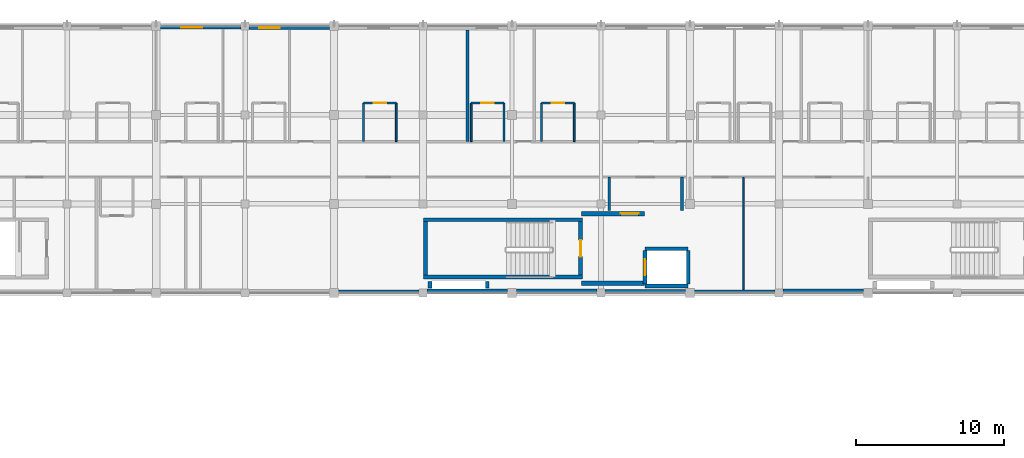
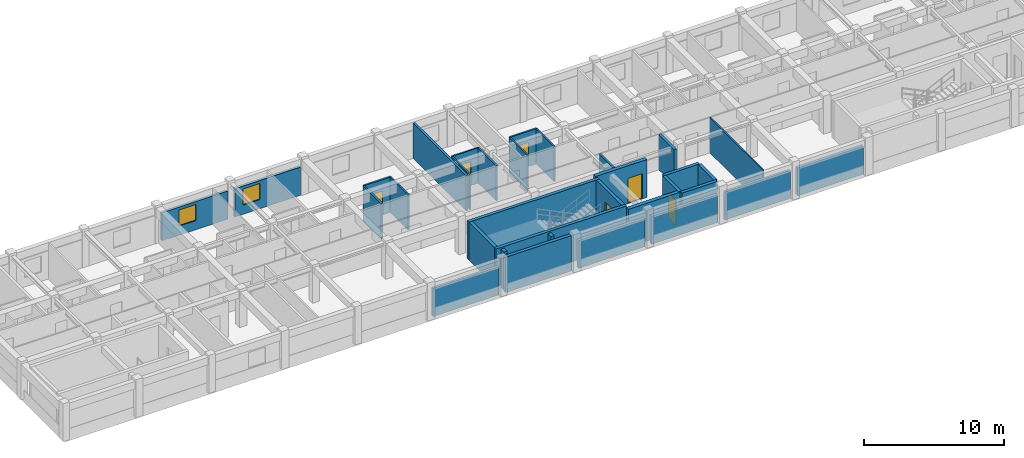
# One storey, part 9 of 21: 33 walls, 6 doors, 2 windows, 8 openings.
"""IFC4 building model written with IfcOpenShell, lengths in metres."""

from ifc_helpers import new_model, si_unit, direction, frame, frame_2d, origin, place, context, subcontext, project, spatial, rectangle, extrude, material, layer, layer_set, type_object, element, fill, save


model = new_model("IFC4")

# Units and contexts
model_context = context("Model", 3, precision=1e-05, world=origin(), true_north=direction((0.0, 1.0)))
body_context = subcontext(model_context, "Body", "Model", "MODEL_VIEW")
ifc_project = project(units=[si_unit("LENGTHUNIT", "METRE"), si_unit("AREAUNIT", "SQUARE_METRE"), si_unit("VOLUMEUNIT", "CUBIC_METRE"), si_unit("PLANEANGLEUNIT", "RADIAN"), si_unit("MASSUNIT", "GRAM", prefix="KILO"), si_unit("THERMODYNAMICTEMPERATUREUNIT", "KELVIN"), si_unit("POWERUNIT", "WATT")], contexts=[model_context])

# Site, building, storey
site_placement = place(None, origin())
site = spatial("IfcSite", under=ifc_project, at=site_placement, CompositionType="ELEMENT")
building_placement = place(site_placement, origin())
building = spatial("IfcBuilding", under=site, at=building_placement, Name="Phaisarnlok Congress Hotel", CompositionType="ELEMENT")
storey_placement = place(building_placement, frame((0.0, 0.0, 34.800048828125)))
storey = spatial("IfcBuildingStorey", under=building, at=storey_placement, Name="L08", CompositionType="ELEMENT", Elevation=34.800048828125)

# Wall, opening, window
ifc_material_1 = material(Name="Concrete C40/50", Category="concrete")
ifc_layer_1 = layer(ifc_material_1, 0.2099609375, Name="Concrete C40/50")
ifc_layer_set_1 = layer_set([ifc_layer_1], Name="Concrete C40/50")
wall_type_1 = type_object("IfcWallType", Name="WL-EXT-210", PredefinedType="SOLIDWALL", material=ifc_layer_set_1)
wall_1_placement = place(storey_placement, frame((89.719970703125, 125.89501953125, 0.0), z_axis=(0.0, 0.0, 1.0), x_axis=(-1.0, 0.0, 0.0)))
wall_1 = element("IfcWall", 1, at=wall_1_placement, inside=storey, type_object=wall_type_1, Name="Exterior wall EW-07 (L08)", PredefinedType="SOLIDWALL", context=body_context, shape_type="SweptSolid", body=[
    extrude(rectangle(XDim=5.4150390625, YDim=0.2099609375, at=frame_2d((2.70751953125, 0.0))), origin(), (0.0, 0.0, 1.0), 2.445068359375),
])
opening_1_placement = place(wall_1_placement, frame((2.60791015625, 0.0, 0.800048828125)))
opening_1 = element("IfcOpeningElement", 2, at=opening_1_placement, cuts=wall_1, Name="Opening W-13", PredefinedType="OPENING", context=body_context, shape_type="SweptSolid", body=[
    extrude(rectangle(XDim=1.39990234375, YDim=1.39990234375, at=frame_2d((0.699951171875, 0.699951171875))), frame((0.0, 0.114990234375, 0.0), z_axis=(0.0, -1.0, 0.0), x_axis=(1.0, 0.0, 0.0)), (0.0, 0.0, 1.0), 0.22998046875),
])
ifc_material_2 = material(Name="Thermally Broken Aluminium & Low-E Double Glazing", Category="aluminium")
window_type = type_object("IfcWindowType", Name="WIN-POD-1400", PartitioningType="SINGLE_PANEL", PredefinedType="WINDOW", material=ifc_material_2)
window_1_placement = place(opening_1_placement, origin())
window_1 = element("IfcWindow", 3, at=window_1_placement, inside=storey, type_object=window_type, Name="Guestroom window W-13 (L08)", OverallHeight=1.39990234375, OverallWidth=1.39990234375, PartitioningType="SINGLE_PANEL", PredefinedType="WINDOW", context=body_context, shape_type="SweptSolid", body=[
    extrude(rectangle(XDim=1.39990234375, YDim=1.39990234375, at=frame_2d((0.699951171875, 0.699951171875))), frame((0.0, 0.030029296875, 0.0), z_axis=(0.0, -1.0, 0.0), x_axis=(1.0, 0.0, 0.0)), (0.0, 0.0, 1.0), 0.06005859375),
])
fill(opening_1, window_1)

# Walls
wall_2_placement = place(storey_placement, frame((96.304931640625, 108.10498046875, 0.0), z_axis=(0.0, 0.0, 1.0), x_axis=(1.0, 0.0, 0.0)))
element("IfcWall", 4, at=wall_2_placement, inside=storey, type_object=wall_type_1, Name="Exterior wall EW-07 (L08)", PredefinedType="SOLIDWALL", context=body_context, shape_type="SweptSolid", body=[
    extrude(rectangle(XDim=5.4150390625, YDim=0.2099609375, at=frame_2d((2.70751953125, 0.0))), origin(), (0.0, 0.0, 1.0), 2.445068359375),
])
wall_3_placement = place(storey_placement, frame((120.304931640625, 108.10498046875, 0.0), z_axis=(0.0, 0.0, 1.0), x_axis=(1.0, 0.0, 0.0)))
element("IfcWall", 5, at=wall_3_placement, inside=storey, type_object=wall_type_1, Name="Exterior wall EW-07 (L08)", PredefinedType="SOLIDWALL", context=body_context, shape_type="SweptSolid", body=[
    extrude(rectangle(XDim=5.4150390625, YDim=0.2099609375, at=frame_2d((2.70751953125, 0.0))), origin(), (0.0, 0.0, 1.0), 2.419921875),
])

# Wall, opening, window
ifc_layer_2 = layer(ifc_material_1, 0.22998046875, Name="Concrete C40/50")
ifc_layer_set_2 = layer_set([ifc_layer_2], Name="Concrete C40/50")
wall_type_2 = type_object("IfcWallType", Name="WL-EXT-230", PredefinedType="SOLIDWALL", material=ifc_layer_set_2)
wall_4_placement = place(storey_placement, frame((95.695068359375, 125.885009765625, 0.0), z_axis=(0.0, 0.0, 1.0), x_axis=(-1.0, 0.0, 0.0)))
wall_4 = element("IfcWall", 6, at=wall_4_placement, inside=storey, type_object=wall_type_2, Name="Exterior wall EW-06 (L08)", PredefinedType="SOLIDWALL", context=body_context, shape_type="SweptSolid", body=[
    extrude(rectangle(XDim=5.4150390625, YDim=0.22998046875, at=frame_2d((2.70751953125, 0.0))), origin(), (0.0, 0.0, 1.0), 2.445068359375),
])
opening_2_placement = place(wall_4_placement, frame((3.344970703125, 0.0, 0.800048828125)))
opening_2 = element("IfcOpeningElement", 7, at=opening_2_placement, cuts=wall_4, Name="Opening W-13", PredefinedType="OPENING", context=body_context, shape_type="SweptSolid", body=[
    extrude(rectangle(XDim=1.39990234375, YDim=1.39990234375, at=frame_2d((0.699951171875, 0.699951171875))), frame((0.0, 0.125, 0.0), z_axis=(0.0, -1.0, 0.0), x_axis=(1.0, 0.0, 0.0)), (0.0, 0.0, 1.0), 0.25),
])
window_2_placement = place(opening_2_placement, origin())
window_2 = element("IfcWindow", 8, at=window_2_placement, inside=storey, type_object=window_type, Name="Guestroom window W-13 (L08)", OverallHeight=1.39990234375, OverallWidth=1.39990234375, PartitioningType="SINGLE_PANEL", PredefinedType="WINDOW", context=body_context, shape_type="SweptSolid", body=[
    extrude(rectangle(XDim=1.39990234375, YDim=1.39990234375, at=frame_2d((0.699951171875, 0.699951171875))), frame((0.0, 0.030029296875, 0.0), z_axis=(0.0, -1.0, 0.0), x_axis=(1.0, 0.0, 0.0)), (0.0, 0.0, 1.0), 0.06005859375),
])
fill(opening_2, window_2)

# Walls
wall_5_placement = place(storey_placement, frame((114.280029296875, 108.114990234375, 0.0), z_axis=(0.0, 0.0, 1.0), x_axis=(1.0, 0.0, 0.0)))
element("IfcWall", 9, at=wall_5_placement, inside=storey, type_object=wall_type_2, Name="Exterior wall EW-06 (L08)", PredefinedType="SOLIDWALL", context=body_context, shape_type="SweptSolid", body=[
    extrude(rectangle(XDim=5.4150390625, YDim=0.22998046875, at=frame_2d((2.70751953125, 0.0))), origin(), (0.0, 0.0, 1.0), 2.419921875),
])
ifc_layer_3 = layer(ifc_material_1, 0.25, Name="Concrete C40/50")
ifc_layer_set_3 = layer_set([ifc_layer_3], Name="Concrete C40/50")
wall_type_3 = type_object("IfcWallType", Name="WL-EXT-250", PredefinedType="SOLIDWALL", material=ifc_layer_set_3)
wall_6_placement = place(storey_placement, frame((108.304931640625, 108.125, 0.0), z_axis=(0.0, 0.0, 1.0), x_axis=(1.0, 0.0, 0.0)))
element("IfcWall", 10, at=wall_6_placement, inside=storey, type_object=wall_type_3, Name="Exterior wall EW-05 (L08)", PredefinedType="SOLIDWALL", context=body_context, shape_type="SweptSolid", body=[
    extrude(rectangle(XDim=5.4150390625, YDim=0.25, at=frame_2d((2.70751953125, 0.0))), origin(), (0.0, 0.0, 1.0), 2.419921875),
])
ifc_layer_4 = layer(ifc_material_1, 0.27001953125, Name="Concrete C40/50")
ifc_layer_set_4 = layer_set([ifc_layer_4], Name="Concrete C40/50")
wall_type_4 = type_object("IfcWallType", Name="WL-EXT-270", PredefinedType="SOLIDWALL", material=ifc_layer_set_4)
wall_7_placement = place(storey_placement, frame((102.280029296875, 108.135009765625, 0.0), z_axis=(0.0, 0.0, 1.0), x_axis=(1.0, 0.0, 0.0)))
element("IfcWall", 11, at=wall_7_placement, inside=storey, type_object=wall_type_4, Name="Exterior wall EW-04 (L08)", PredefinedType="SOLIDWALL", context=body_context, shape_type="SweptSolid", body=[
    extrude(rectangle(XDim=5.4150390625, YDim=0.27001953125, at=frame_2d((2.70751953125, 0.0))), origin(), (0.0, 0.0, 1.0), 3.070068359375),
])
wall_8_placement = place(storey_placement, frame((126.280029296875, 108.135009765625, 0.0), z_axis=(0.0, 0.0, 1.0), x_axis=(1.0, 0.0, 0.0)))
element("IfcWall", 12, at=wall_8_placement, inside=storey, type_object=wall_type_4, Name="Exterior wall EW-04 (L08)", PredefinedType="SOLIDWALL", context=body_context, shape_type="SweptSolid", body=[
    extrude(rectangle(XDim=5.4150390625, YDim=0.27001953125, at=frame_2d((2.70751953125, 0.0))), origin(), (0.0, 0.0, 1.0), 2.419921875),
])
ifc_material_3 = material(Name="Service Riser Shaftwall Partition", Category="gypsum")
ifc_layer_5 = layer(ifc_material_3, 0.10498046875, Name="Service Riser Shaftwall Partition")
ifc_layer_set_5 = layer_set([ifc_layer_5], Name="Service Riser Shaftwall Partition")
wall_type_5 = type_object("IfcWallType", Name="WL-INT-105", PredefinedType="PARTITIONING", material=ifc_layer_set_5)
wall_9_placement = place(storey_placement, frame((123.60009765625, 108.215087890625, 0.0), z_axis=(0.0, 0.0, 1.0), x_axis=(0.0, 1.0, 0.0)))
element("IfcWall", 13, at=wall_9_placement, inside=storey, type_object=wall_type_5, Name="Interior partition wall IW-08 (L08)", PredefinedType="PARTITIONING", context=body_context, shape_type="SweptSolid", body=[
    extrude(rectangle(XDim=7.5849609375, YDim=0.10498046875, at=frame_2d((3.79248046875, 0.0))), origin(), (0.0, 0.0, 1.0), 3.070068359375),
])
ifc_material_4 = material(Name="Lightweight Metal-Stud Gypsum Partition", Category="gypsum")
ifc_layer_6 = layer(ifc_material_4, 0.1201171875, Name="Lightweight Metal-Stud Gypsum Partition")
ifc_layer_set_6 = layer_set([ifc_layer_6], Name="Lightweight Metal-Stud Gypsum Partition")
wall_type_6 = type_object("IfcWallType", Name="WL-INT-120", PredefinedType="PARTITIONING", material=ifc_layer_set_6)
for number, where, z_axis, x_axis, name in (
    (14, (100.199951171875, 118.199951171875, 0.0), (0.0, 0.0, 1.0), (0.0, 1.0, 0.0), "Interior partition wall IW-07 (L08)"),
    (15, (105.25, 118.199951171875, 0.0), (0.0, 0.0, 1.0), (0.0, 1.0, 0.0), "Interior partition wall IW-07 (L08)"),
    (16, (112.199951171875, 118.199951171875, 0.0), (0.0, 0.0, 1.0), (0.0, 1.0, 0.0), "Interior partition wall IW-07 (L08)"),
):
    element("IfcWall", number, at=place(storey_placement, frame(where, z_axis=z_axis, x_axis=x_axis)), inside=storey, type_object=wall_type_6, Name=name, PredefinedType="PARTITIONING", context=body_context, shape_type="SweptSolid", body=[
        extrude(rectangle(XDim=2.60009765625, YDim=0.1201171875, at=frame_2d((1.300048828125, 0.0))), origin(), (0.0, 0.0, 1.0), 3.070068359375),
    ])

# Wall, opening, door
wall_10_placement = place(storey_placement, frame((105.25, 120.800048828125, 0.0), z_axis=(0.0, 0.0, 1.0), x_axis=(1.0, 0.0, 0.0)))
wall_10 = element("IfcWall", 17, at=wall_10_placement, inside=storey, type_object=wall_type_6, Name="Interior partition wall IW-07 (L08)", PredefinedType="PARTITIONING", context=body_context, shape_type="SweptSolid", body=[
    extrude(rectangle(XDim=2.199951171875, YDim=0.1201171875, at=frame_2d((1.10009765625, 0.0))), origin(), (0.0, 0.0, 1.0), 3.070068359375),
])
opening_3_placement = place(wall_10_placement, frame((0.675048828125, 0.0, 0.0)))
opening_3 = element("IfcOpeningElement", 18, at=opening_3_placement, cuts=wall_10, Name="Opening D-0417", PredefinedType="OPENING", context=body_context, shape_type="SweptSolid", body=[
    extrude(rectangle(XDim=0.85009765625, YDim=2.10009765625, at=frame_2d((0.425048828125, 1.050048828125))), frame((0.0, 0.070068359375, 0.0), z_axis=(0.0, -1.0, 0.0), x_axis=(1.0, 0.0, 0.0)), (0.0, 0.0, 1.0), 0.14013671875),
])
ifc_material_5 = material(Name="Moisture-Resistant Lacquered Timber", Category="wood")
door_type_1 = type_object("IfcDoorType", Name="DR-BATH-850", OperationType="NOTDEFINED", PredefinedType="DOOR", material=ifc_material_5)
door_1_placement = place(opening_3_placement, origin())
door_1 = element("IfcDoor", 19, at=door_1_placement, inside=storey, type_object=door_type_1, Name="Interior door D-0417 (L08)", OperationType="SINGLE_SWING_RIGHT", OverallHeight=2.10009765625, OverallWidth=0.85009765625, PredefinedType="DOOR", context=body_context, shape_type="SweptSolid", body=[
    extrude(rectangle(XDim=0.85009765625, YDim=2.10009765625, at=frame_2d((0.425048828125, 1.050048828125))), frame((0.0, 0.02490234375, 0.0), z_axis=(0.0, -1.0, 0.0), x_axis=(1.0, 0.0, 0.0)), (0.0, 0.0, 1.0), 0.050048828125),
])
fill(opening_3, door_1)

# Walls
ifc_material_6 = material(Name="Moisture-Resistant Gypsum Partition", Category="gypsum")
ifc_layer_7 = layer(ifc_material_6, 0.135009765625, Name="Moisture-Resistant Gypsum Partition")
ifc_layer_set_7 = layer_set([ifc_layer_7], Name="Moisture-Resistant Gypsum Partition")
wall_type_7 = type_object("IfcWallType", Name="WL-INT-135", PredefinedType="PARTITIONING", material=ifc_layer_set_7)
for number, where, z_axis, x_axis, name in (
    (20, (98.0, 118.199951171875, 0.0), (0.0, 0.0, 1.0), (0.0, 1.0, 0.0), "Interior partition wall IW-06 (L08)"),
    (21, (107.449951171875, 118.199951171875, 0.0), (0.0, 0.0, 1.0), (0.0, 1.0, 0.0), "Interior partition wall IW-06 (L08)"),
    (22, (110.0, 118.199951171875, 0.0), (0.0, 0.0, 1.0), (0.0, 1.0, 0.0), "Interior partition wall IW-06 (L08)"),
):
    element("IfcWall", number, at=place(storey_placement, frame(where, z_axis=z_axis, x_axis=x_axis)), inside=storey, type_object=wall_type_7, Name=name, PredefinedType="PARTITIONING", context=body_context, shape_type="SweptSolid", body=[
        extrude(rectangle(XDim=2.60009765625, YDim=0.135009765625, at=frame_2d((1.300048828125, 0.0))), origin(), (0.0, 0.0, 1.0), 3.070068359375),
    ])

# Wall, opening, door
wall_11_placement = place(storey_placement, frame((98.0, 120.800048828125, 0.0), z_axis=(0.0, 0.0, 1.0), x_axis=(1.0, 0.0, 0.0)))
wall_11 = element("IfcWall", 23, at=wall_11_placement, inside=storey, type_object=wall_type_7, Name="Interior partition wall IW-06 (L08)", PredefinedType="PARTITIONING", context=body_context, shape_type="SweptSolid", body=[
    extrude(rectangle(XDim=2.199951171875, YDim=0.135009765625, at=frame_2d((1.10009765625, 0.0))), origin(), (0.0, 0.0, 1.0), 3.070068359375),
])
opening_4_placement = place(wall_11_placement, frame((0.675048828125, 0.0, 0.0)))
opening_4 = element("IfcOpeningElement", 24, at=opening_4_placement, cuts=wall_11, Name="Opening D-0415", PredefinedType="OPENING", context=body_context, shape_type="SweptSolid", body=[
    extrude(rectangle(XDim=0.85009765625, YDim=2.10009765625, at=frame_2d((0.425048828125, 1.050048828125))), frame((0.0, 0.07763671875, 0.0), z_axis=(0.0, -1.0, 0.0), x_axis=(1.0, 0.0, 0.0)), (0.0, 0.0, 1.0), 0.155029296875),
])
door_2_placement = place(opening_4_placement, origin())
door_2 = element("IfcDoor", 25, at=door_2_placement, inside=storey, type_object=door_type_1, Name="Interior door D-0415 (L08)", OperationType="SINGLE_SWING_RIGHT", OverallHeight=2.10009765625, OverallWidth=0.85009765625, PredefinedType="DOOR", context=body_context, shape_type="SweptSolid", body=[
    extrude(rectangle(XDim=0.85009765625, YDim=2.10009765625, at=frame_2d((0.425048828125, 1.050048828125))), frame((0.0, 0.02490234375, 0.0), z_axis=(0.0, -1.0, 0.0), x_axis=(1.0, 0.0, 0.0)), (0.0, 0.0, 1.0), 0.050048828125),
])
fill(opening_4, door_2)

wall_12_placement = place(storey_placement, frame((110.0, 120.800048828125, 0.0), z_axis=(0.0, 0.0, 1.0), x_axis=(1.0, 0.0, 0.0)))
wall_12 = element("IfcWall", 26, at=wall_12_placement, inside=storey, type_object=wall_type_7, Name="Interior partition wall IW-06 (L08)", PredefinedType="PARTITIONING", context=body_context, shape_type="SweptSolid", body=[
    extrude(rectangle(XDim=2.199951171875, YDim=0.135009765625, at=frame_2d((1.10009765625, 0.0))), origin(), (0.0, 0.0, 1.0), 3.070068359375),
])
opening_5_placement = place(wall_12_placement, frame((0.675048828125, 0.0, 0.0)))
opening_5 = element("IfcOpeningElement", 27, at=opening_5_placement, cuts=wall_12, Name="Opening D-0419", PredefinedType="OPENING", context=body_context, shape_type="SweptSolid", body=[
    extrude(rectangle(XDim=0.85009765625, YDim=2.10009765625, at=frame_2d((0.425048828125, 1.050048828125))), frame((0.0, 0.07763671875, 0.0), z_axis=(0.0, -1.0, 0.0), x_axis=(1.0, 0.0, 0.0)), (0.0, 0.0, 1.0), 0.155029296875),
])
door_3_placement = place(opening_5_placement, origin())
door_3 = element("IfcDoor", 28, at=door_3_placement, inside=storey, type_object=door_type_1, Name="Interior door D-0419 (L08)", OperationType="SINGLE_SWING_RIGHT", OverallHeight=2.10009765625, OverallWidth=0.85009765625, PredefinedType="DOOR", context=body_context, shape_type="SweptSolid", body=[
    extrude(rectangle(XDim=0.85009765625, YDim=2.10009765625, at=frame_2d((0.425048828125, 1.050048828125))), frame((0.0, 0.02490234375, 0.0), z_axis=(0.0, -1.0, 0.0), x_axis=(1.0, 0.0, 0.0)), (0.0, 0.0, 1.0), 0.050048828125),
])
fill(opening_5, door_3)

# Walls
ifc_material_7 = material(Name="Double-Stud Acoustic Gypsum Partition", Category="gypsum")
ifc_layer_8 = layer(ifc_material_7, 0.159912109375, Name="Double-Stud Acoustic Gypsum Partition")
ifc_layer_set_8 = layer_set([ifc_layer_8], Name="Double-Stud Acoustic Gypsum Partition")
wall_type_8 = type_object("IfcWallType", Name="WL-INT-160", PredefinedType="PARTITIONING", material=ifc_layer_set_8)
wall_13_placement = place(storey_placement, frame((114.550048828125, 113.56005859375, 0.0), z_axis=(0.0, 0.0, 1.0), x_axis=(0.0, 1.0, 0.0)))
element("IfcWall", 29, at=wall_13_placement, inside=storey, type_object=wall_type_8, Name="Interior partition wall IW-04 (L08)", PredefinedType="PARTITIONING", context=body_context, shape_type="SweptSolid", body=[
    extrude(rectangle(XDim=2.239990234375, YDim=0.159912109375, at=frame_2d((1.1201171875, 0.0))), origin(), (0.0, 0.0, 1.0), 3.070068359375),
])
ifc_material_8 = material(Name="Autoclaved Aerated Concrete Block", Category="concrete")
ifc_layer_9 = layer(ifc_material_8, 0.179931640625, Name="Autoclaved Aerated Concrete Block")
ifc_layer_set_9 = layer_set([ifc_layer_9], Name="Autoclaved Aerated Concrete Block")
wall_type_9 = type_object("IfcWallType", Name="WL-INT-180", PredefinedType="PARTITIONING", material=ifc_layer_set_9)
wall_14_placement = place(storey_placement, frame((105.0, 118.199951171875, 0.0), z_axis=(0.0, 0.0, 1.0), x_axis=(0.0, 1.0, 0.0)))
element("IfcWall", 30, at=wall_14_placement, inside=storey, type_object=wall_type_9, Name="Interior partition wall IW-03 (L08)", PredefinedType="PARTITIONING", context=body_context, shape_type="SweptSolid", body=[
    extrude(rectangle(XDim=7.525146484375, YDim=0.179931640625, at=frame_2d((3.7626953125, 0.0))), origin(), (0.0, 0.0, 1.0), 3.070068359375),
])
ifc_layer_10 = layer(ifc_material_8, 0.199951171875, Name="Autoclaved Aerated Concrete Block")
ifc_layer_set_10 = layer_set([ifc_layer_10], Name="Autoclaved Aerated Concrete Block")
wall_type_10 = type_object("IfcWallType", Name="WL-INT-200", PredefinedType="PARTITIONING", material=ifc_layer_set_10)
wall_15_placement = place(storey_placement, frame((119.449951171875, 113.56005859375, 0.0), z_axis=(0.0, 0.0, 1.0), x_axis=(0.0, 1.0, 0.0)))
element("IfcWall", 31, at=wall_15_placement, inside=storey, type_object=wall_type_10, Name="Interior partition wall IW-02 (L08)", PredefinedType="PARTITIONING", context=body_context, shape_type="SweptSolid", body=[
    extrude(rectangle(XDim=2.239990234375, YDim=0.199951171875, at=frame_2d((1.1201171875, 0.0))), origin(), (0.0, 0.0, 1.0), 3.070068359375),
])
ifc_material_9 = material(Name="Concrete C50/60", Category="concrete")
ifc_layer_11 = layer(ifc_material_9, 0.260009765625, Name="Concrete C50/60")
ifc_layer_set_11 = layer_set([ifc_layer_11], Name="Concrete C50/60")
wall_type_11 = type_object("IfcWallType", Name="WL-SHR-260", PredefinedType="SHEAR", material=ifc_layer_set_11)
for number, where, z_axis, x_axis, name in (
    (32, (102.0400390625, 109.070068359375, 0.0), (0.0, 0.0, 1.0), (1.0, 0.0, 0.0), "Stair shaft shear wall SW-04 (CORE-4 L08)"),
    (33, (102.0400390625, 112.929931640625, 0.0), (0.0, 0.0, 1.0), (1.0, 0.0, 0.0), "Stair shaft shear wall SW-04 (CORE-4 L08)"),
):
    element("IfcWall", number, at=place(storey_placement, frame(where, z_axis=z_axis, x_axis=x_axis)), inside=storey, type_object=wall_type_11, Name=name, PredefinedType="SHEAR", context=body_context, shape_type="SweptSolid", body=[
        extrude(rectangle(XDim=10.719970703125, YDim=0.260009765625, at=frame_2d((5.35986328125, 0.0))), origin(), (0.0, 0.0, 1.0), 3.300048828125),
    ])
wall_16_placement = place(storey_placement, frame((102.169921875, 109.199951171875, 0.0), z_axis=(0.0, 0.0, 1.0), x_axis=(0.0, 1.0, 0.0)))
element("IfcWall", 34, at=wall_16_placement, inside=storey, type_object=wall_type_11, Name="Stair shaft shear wall SW-04 (CORE-4 L08)", PredefinedType="SHEAR", context=body_context, shape_type="SweptSolid", body=[
    extrude(rectangle(XDim=3.60009765625, YDim=0.260009765625, at=frame_2d((1.800048828125, 0.0))), origin(), (0.0, 0.0, 1.0), 3.300048828125),
])

# Wall, opening, door
wall_17_placement = place(storey_placement, frame((112.6298828125, 109.199951171875, 0.0), z_axis=(0.0, 0.0, 1.0), x_axis=(0.0, 1.0, 0.0)))
wall_17 = element("IfcWall", 35, at=wall_17_placement, inside=storey, type_object=wall_type_11, Name="Stair shaft shear wall SW-04 (CORE-4 L08)", PredefinedType="SHEAR", context=body_context, shape_type="SweptSolid", body=[
    extrude(rectangle(XDim=3.60009765625, YDim=0.260009765625, at=frame_2d((1.800048828125, 0.0))), origin(), (0.0, 0.0, 1.0), 3.300048828125),
])
opening_6_placement = place(wall_17_placement, frame((1.25, 0.0, 0.0)))
opening_6 = element("IfcOpeningElement", 36, at=opening_6_placement, cuts=wall_17, Name="Opening FD-100", PredefinedType="OPENING", context=body_context, shape_type="SweptSolid", body=[
    extrude(rectangle(XDim=1.10009765625, YDim=2.14990234375, at=frame_2d((0.550048828125, 1.074951171875))), frame((0.0, 0.14013671875, 0.0), z_axis=(0.0, -1.0, 0.0), x_axis=(1.0, 0.0, 0.0)), (0.0, 0.0, 1.0), 0.280029296875),
])
ifc_material_10 = material(Name="Fire-Rated Steel Frame & Timber Leaf", Category="steel")
door_type_2 = type_object("IfcDoorType", Name="DR-FD60-1100", OperationType="NOTDEFINED", PredefinedType="DOOR", material=ifc_material_10)
door_4_placement = place(opening_6_placement, origin())
door_4 = element("IfcDoor", 37, at=door_4_placement, inside=storey, type_object=door_type_2, Name="Stair enclosure fire door FD-100 (L08)", OperationType="SINGLE_SWING_LEFT", OverallHeight=2.14990234375, OverallWidth=1.10009765625, PredefinedType="DOOR", context=body_context, shape_type="SweptSolid", body=[
    extrude(rectangle(XDim=1.10009765625, YDim=2.14990234375, at=frame_2d((0.550048828125, 1.074951171875))), frame((0.0, 0.02490234375, 0.0), z_axis=(0.0, -1.0, 0.0), x_axis=(1.0, 0.0, 0.0)), (0.0, 0.0, 1.0), 0.050048828125),
])
fill(opening_6, door_4)

# Walls
for number, where, z_axis, x_axis, name in (
    (38, (116.969970703125, 108.469970703125, 0.0), (0.0, 0.0, 1.0), (1.0, 0.0, 0.0), "Lift shaft shear wall SW-04 (LF-HP4 L08)"),
    (39, (116.969970703125, 110.97998046875, 0.0), (0.0, 0.0, 1.0), (1.0, 0.0, 0.0), "Lift shaft shear wall SW-04 (LF-HP4 L08)"),
):
    element("IfcWall", number, at=place(storey_placement, frame(where, z_axis=z_axis, x_axis=x_axis)), inside=storey, type_object=wall_type_11, Name=name, PredefinedType="SHEAR", context=body_context, shape_type="SweptSolid", body=[
        extrude(rectangle(XDim=2.909912109375, YDim=0.260009765625, at=frame_2d((1.455078125, 0.0))), origin(), (0.0, 0.0, 1.0), 3.300048828125),
    ])
wall_18_placement = place(storey_placement, frame((119.8798828125, 108.60009765625, 0.0), z_axis=(0.0, 0.0, 1.0), x_axis=(0.0, 1.0, 0.0)))
element("IfcWall", 40, at=wall_18_placement, inside=storey, type_object=wall_type_11, Name="Lift shaft shear wall SW-04 (LF-HP4 L08)", PredefinedType="SHEAR", context=body_context, shape_type="SweptSolid", body=[
    extrude(rectangle(XDim=2.25, YDim=0.260009765625, at=frame_2d((1.125, 0.0))), origin(), (0.0, 0.0, 1.0), 3.300048828125),
])

# Wall, opening, door
wall_19_placement = place(storey_placement, frame((116.969970703125, 108.60009765625, 0.0), z_axis=(0.0, 0.0, 1.0), x_axis=(0.0, 1.0, 0.0)))
wall_19 = element("IfcWall", 41, at=wall_19_placement, inside=storey, type_object=wall_type_11, Name="Lift shaft front wall SW-04 (LF-HP4 L08)", PredefinedType="SHEAR", context=body_context, shape_type="SweptSolid", body=[
    extrude(rectangle(XDim=2.25, YDim=0.260009765625, at=frame_2d((1.125, 0.0))), origin(), (0.0, 0.0, 1.0), 3.300048828125),
])
opening_7_placement = place(wall_19_placement, frame((0.574951171875, 0.0, 0.0)))
opening_7 = element("IfcOpeningElement", 42, at=opening_7_placement, cuts=wall_19, Name="Opening LD-100", PredefinedType="OPENING", context=body_context, shape_type="SweptSolid", body=[
    extrude(rectangle(XDim=1.10009765625, YDim=2.199951171875, at=frame_2d((0.550048828125, 1.10009765625))), frame((0.0, 0.14013671875, 0.0), z_axis=(0.0, -1.0, 0.0), x_axis=(1.0, 0.0, 0.0)), (0.0, 0.0, 1.0), 0.280029296875),
])
ifc_material_11 = material(Name="Brushed Stainless Steel Grade 304", Category="steel")
door_type_3 = type_object("IfcDoorType", Name="DR-LD-1100", OperationType="DOUBLE_DOOR_SLIDING", PredefinedType="DOOR", material=ifc_material_11)
door_5_placement = place(opening_7_placement, origin())
door_5 = element("IfcDoor", 43, at=door_5_placement, inside=storey, type_object=door_type_3, Name="Lift landing sliding door LD-100 (LF-HP4 L08)", OperationType="DOUBLE_DOOR_SLIDING", OverallHeight=2.199951171875, OverallWidth=1.10009765625, PredefinedType="DOOR", context=body_context, shape_type="SweptSolid", body=[
    extrude(rectangle(XDim=1.10009765625, YDim=2.199951171875, at=frame_2d((0.550048828125, 1.10009765625))), frame((0.0, 0.02490234375, 0.0), z_axis=(0.0, -1.0, 0.0), x_axis=(1.0, 0.0, 0.0)), (0.0, 0.0, 1.0), 0.050048828125),
])
fill(opening_7, door_5)

# Walls
for number, where, z_axis, x_axis, name in (
    (44, (102.469970703125, 108.330078125, 0.0), (0.0, 0.0, 1.0), (0.0, 1.0, 0.0), "Service riser shaft wall SW-04 (CORE-4 L08)"),
    (45, (106.330078125, 108.330078125, 0.0), (0.0, 0.0, 1.0), (0.0, 1.0, 0.0), "Service riser shaft wall SW-04 (CORE-4 L08)"),
):
    element("IfcWall", number, at=place(storey_placement, frame(where, z_axis=z_axis, x_axis=x_axis)), inside=storey, type_object=wall_type_11, Name=name, PredefinedType="SHEAR", context=body_context, shape_type="SweptSolid", body=[
        extrude(rectangle(XDim=0.43994140625, YDim=0.260009765625, at=frame_2d((0.219970703125, 0.0))), origin(), (0.0, 0.0, 1.0), 3.300048828125),
    ])

# Wall, opening, door
ifc_layer_12 = layer(ifc_material_9, 0.300048828125, Name="Concrete C50/60")
ifc_layer_set_12 = layer_set([ifc_layer_12], Name="Concrete C50/60")
wall_type_12 = type_object("IfcWallType", Name="WL-SHR-300", PredefinedType="SHEAR", material=ifc_layer_set_12)
wall_20_placement = place(storey_placement, frame((112.679931640625, 113.35009765625, 0.0), z_axis=(0.0, 0.0, 1.0), x_axis=(1.0, 0.0, 0.0)))
wall_20 = element("IfcWall", 46, at=wall_20_placement, inside=storey, type_object=wall_type_12, Name="Core lobby EI-120 wall SW-03 (CORE-4 L08)", PredefinedType="SHEAR", context=body_context, shape_type="SweptSolid", body=[
    extrude(rectangle(XDim=4.239990234375, YDim=0.300048828125, at=frame_2d((2.1201171875, 0.0))), origin(), (0.0, 0.0, 1.0), 3.300048828125),
])
opening_8_placement = place(wall_20_placement, frame((2.64990234375, 0.0, 0.0)))
opening_8 = element("IfcOpeningElement", 47, at=opening_8_placement, cuts=wall_20, Name="Opening FD-115", PredefinedType="OPENING", context=body_context, shape_type="SweptSolid", body=[
    extrude(rectangle(XDim=1.199951171875, YDim=2.199951171875, at=frame_2d((0.60009765625, 1.10009765625))), frame((0.0, 0.16015625, 0.0), z_axis=(0.0, -1.0, 0.0), x_axis=(1.0, 0.0, 0.0)), (0.0, 0.0, 1.0), 0.320068359375),
])
door_type_4 = type_object("IfcDoorType", Name="DR-FD60-1200", OperationType="NOTDEFINED", PredefinedType="DOOR", material=ifc_material_10)
door_6_placement = place(opening_8_placement, origin())
door_6 = element("IfcDoor", 48, at=door_6_placement, inside=storey, type_object=door_type_4, Name="Firefighting lobby entrance door FD-115 (CORE-4 L08)", OperationType="SINGLE_SWING_RIGHT", OverallHeight=2.199951171875, OverallWidth=1.199951171875, PredefinedType="DOOR", context=body_context, shape_type="SweptSolid", body=[
    extrude(rectangle(XDim=1.199951171875, YDim=2.199951171875, at=frame_2d((0.60009765625, 1.10009765625))), frame((0.0, 0.02490234375, 0.0), z_axis=(0.0, -1.0, 0.0), x_axis=(1.0, 0.0, 0.0)), (0.0, 0.0, 1.0), 0.050048828125),
])
fill(opening_8, door_6)

# Wall
wall_21_placement = place(storey_placement, frame((112.679931640625, 108.64990234375, 0.0), z_axis=(0.0, 0.0, 1.0), x_axis=(1.0, 0.0, 0.0)))
element("IfcWall", 49, at=wall_21_placement, inside=storey, type_object=wall_type_12, Name="Core lobby EI-120 wall SW-03 (CORE-4 L08)", PredefinedType="SHEAR", context=body_context, shape_type="SweptSolid", body=[
    extrude(rectangle(XDim=4.239990234375, YDim=0.300048828125, at=frame_2d((2.1201171875, 0.0))), origin(), (0.0, 0.0, 1.0), 3.300048828125),
])

save(model, "model.ifc")
